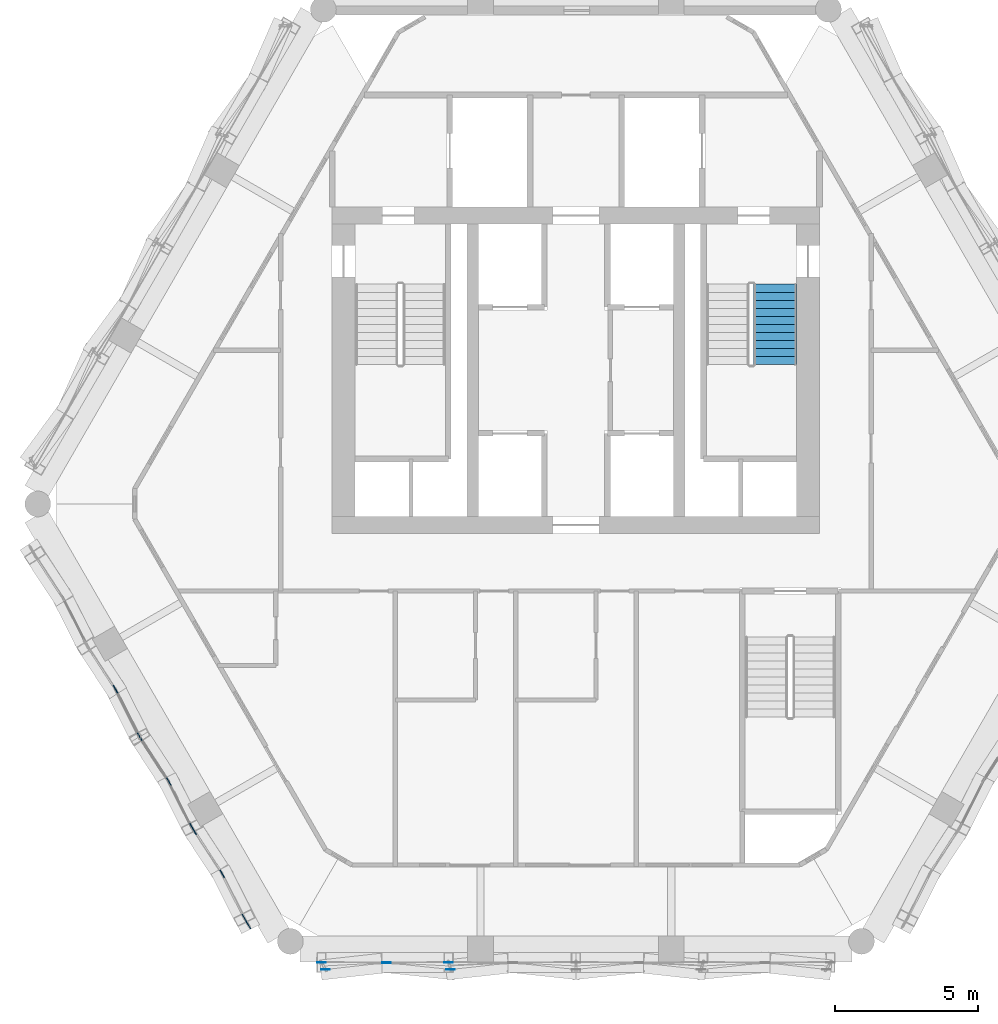
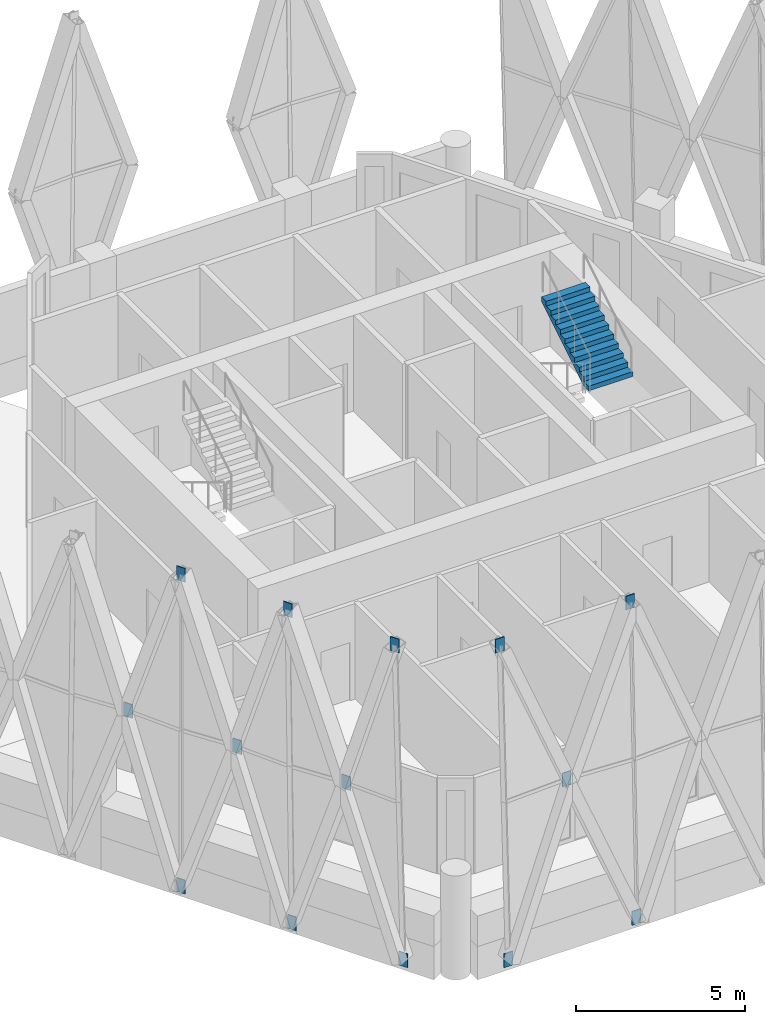
# One storey, part 16 of 22: 14 discrete accessories, 1 stair flight, 1 element without a shape of its own.
"""IFC4 building model written with IfcOpenShell, lengths in metres."""

from ifc_helpers import new_model, si_unit, direction, frame, origin, origin_2d, place, context, subcontext, project, spatial, polyline, rectangle, outline, extrude, material, layer, layer_set, type_object, element, aggregate, save


model = new_model("IFC4")

# Units and contexts
model_context = context("Model", 3, precision=1e-05, world=origin(), true_north=direction((0.0, 1.0)))
body_context = subcontext(model_context, "Body", "Model", "MODEL_VIEW")
ifc_project = project(units=[si_unit("LENGTHUNIT", "METRE"), si_unit("AREAUNIT", "SQUARE_METRE"), si_unit("VOLUMEUNIT", "CUBIC_METRE"), si_unit("PLANEANGLEUNIT", "RADIAN"), si_unit("MASSUNIT", "GRAM", prefix="KILO")], contexts=[model_context])

# Site, building, storey
site_placement = place(None, origin())
site = spatial("IfcSite", under=ifc_project, at=site_placement, CompositionType="ELEMENT")
building_placement = place(site_placement, origin())
building = spatial("IfcBuilding", under=site, at=building_placement, Name="Ostrander Bayou Hotel Tower", CompositionType="ELEMENT")
storey_placement = place(building_placement, frame((0.0, 0.0, 245.0)))
storey = spatial("IfcBuildingStorey", under=building, at=storey_placement, Name="L60", CompositionType="ELEMENT", Elevation=245.0)

# Stair, stair flight
ifc_material_1 = material(Name="Concrete f'c 45 MPa", Category="concrete")
stair_type = type_object("IfcStairType", Name="ST1 exit stair 1500 mm f'c 45 MPa", PredefinedType="HALF_TURN_STAIR", material=ifc_material_1)
stair_placement = place(storey_placement, origin())
stair = element("IfcStair", 1, at=stair_placement, inside=storey, type_object=stair_type, Name="L60 exit stair B", PredefinedType="HALF_TURN_STAIR")
ifc_material_2 = material(Name="Concrete f'c 45 MPa", Category="concrete")
stair_flight_type = type_object("IfcStairFlightType", Name="SF1 stair flight 1500 mm f'c 45 MPa", PredefinedType="STRAIGHT", material=ifc_material_2)
stair_flight_placement = place(storey_placement, frame((6.949951171875, 4.199951171875, 1.875), z_axis=(0.0, 0.0, 1.0), x_axis=(0.0, 1.0, 0.0)))
stair_flight = element("IfcStairFlight", 2, at=stair_flight_placement, type_object=stair_flight_type, Name="STB flight 2", NumberOfRisers=11, NumberOfTreads=10, PredefinedType="STRAIGHT", RiserHeight=0.170454545, TreadLength=0.28, context=body_context, shape_type="SweptSolid", body=[
    extrude(outline(polyline([(0.0, 0.0), (0.0, 0.17041015625), (0.280029296875, 0.17041015625), (0.280029296875, 0.3408203125), (0.56005859375, 0.3408203125), (0.56005859375, 0.511474609375), (0.840087890625, 0.511474609375), (0.840087890625, 0.681884765625), (1.1201171875, 0.681884765625), (1.1201171875, 0.852294921875), (1.39990234375, 0.852294921875), (1.39990234375, 1.022705078125), (1.679931640625, 1.022705078125), (1.679931640625, 1.193115234375), (1.9599609375, 1.193115234375), (1.9599609375, 1.363525390625), (2.239990234375, 1.363525390625), (2.239990234375, 1.5341796875), (2.52001953125, 1.5341796875), (2.52001953125, 1.70458984375), (2.800048828125, 1.70458984375), (2.800048828125, 1.875), (2.800048828125, 1.529052734375), (0.288330078125, 0.0), (0.0, 0.0)])), frame((0.0, 0.75, 0.0), z_axis=(0.0, -1.0, 0.0), x_axis=(1.0, 0.0, 0.0)), (0.0, 0.0, 1.0), 1.5),
])
aggregate(stair, [stair_flight])

# Discrete accessories
ifc_material_3 = material(Name="Steel ASTM A572 Gr 50", Category="steel")
ifc_layer = layer(ifc_material_3, 0.030029296875)
ifc_layer_set = layer_set([ifc_layer], Name="GP1 gusset plate 30 mm")
discrete_accessory_type = type_object("IfcDiscreteAccessoryType", Name="GP1 gusset plate 30 mm", PredefinedType="BRACKET", material=ifc_layer_set)
for number, where, z_axis, x_axis, name in (
    (3, (-16.060302734375, -7.1240234375, 4.77490234375), (0.0, 0.0, 1.0), (0.5, -0.866025403784, 0.0), "GP1 gusset plate lat 404"),
    (4, (-15.216064453125, -8.784912109375, -0.85009765625), (0.0, 0.0, 1.0), (0.5, -0.866025403784, 0.0), "GP1 gusset plate lat 405"),
    (5, (-15.216064453125, -8.784912109375, 10.39990234375), (0.0, 0.0, 1.0), (0.5, -0.866025403784, 0.0), "GP1 gusset plate lat 406"),
    (6, (-14.19970703125, -10.3466796875, 4.77490234375), (0.0, 0.0, 1.0), (0.5, -0.866025403784, 0.0), "GP1 gusset plate lat 407"),
    (7, (-13.320068359375, -12.069091796875, -0.85009765625), (0.0, 0.0, 1.0), (0.5, -0.866025403784, 0.0), "GP1 gusset plate lat 408"),
    (8, (-13.390869140625, -11.9462890625, 10.39990234375), (0.0, 0.0, 1.0), (0.5, -0.866025403784, 0.0), "GP1 gusset plate lat 409"),
    (9, (-12.339111328125, -13.569091796875, 4.77490234375), (0.0, 0.0, 1.0), (0.5, -0.866025403784, 0.0), "GP1 gusset plate lat 410"),
    (10, (-11.424072265625, -15.35302734375, -0.85009765625), (0.0, 0.0, 1.0), (0.5, -0.866025403784, 0.0), "GP1 gusset plate lat 411"),
    (11, (-11.56591796875, -15.107421875, 10.39990234375), (0.0, 0.0, 1.0), (0.5, -0.866025403784, 0.0), "GP1 gusset plate lat 412"),
    (12, (-6.605712890625, -16.667236328125, 4.77490234375), (0.0, 0.0, 1.0), (1.0, 0.0, 0.0), "GP1 gusset plate lat 413"),
    (13, (-8.73681640625, -16.904541015625, -0.85009765625), (0.0, 0.0, 1.0), (1.0, 0.0, 0.0), "GP1 gusset plate lat 414"),
    (14, (-8.87841796875, -16.658935546875, 10.39990234375), (0.0, 0.0, 1.0), (1.0, 0.0, 0.0), "GP1 gusset plate lat 415"),
    (15, (-4.368408203125, -16.904541015625, -0.85009765625), (0.0, 0.0, 1.0), (1.0, 0.0, 0.0), "GP1 gusset plate lat 416"),
    (16, (-4.439208984375, -16.658935546875, 10.39990234375), (0.0, 0.0, 1.0), (1.0, 0.0, 0.0), "GP1 gusset plate lat 417"),
):
    element("IfcDiscreteAccessory", number, at=place(storey_placement, frame(where, z_axis=z_axis, x_axis=x_axis)), inside=storey, type_object=discrete_accessory_type, Name=name, PredefinedType="BRACKET", context=body_context, shape_type="SweptSolid", body=[
        extrude(rectangle(XDim=0.300048828125, YDim=0.030029296875, at=origin_2d()), origin(), (0.0, 0.0, 1.0), 0.5),
    ])

save(model, "model.ifc")
